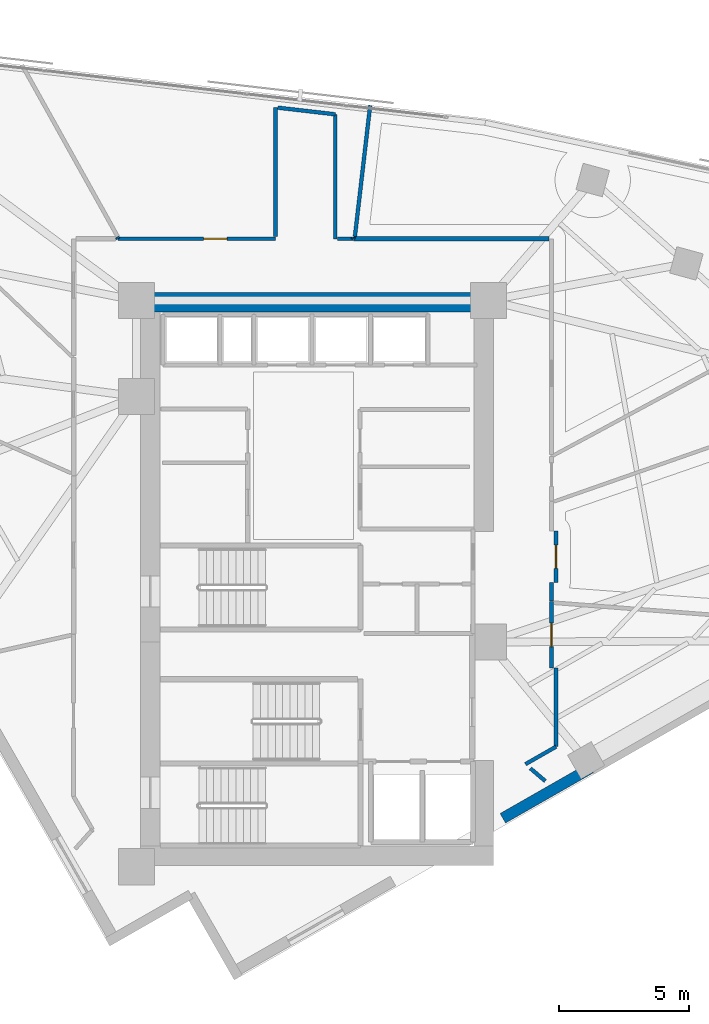
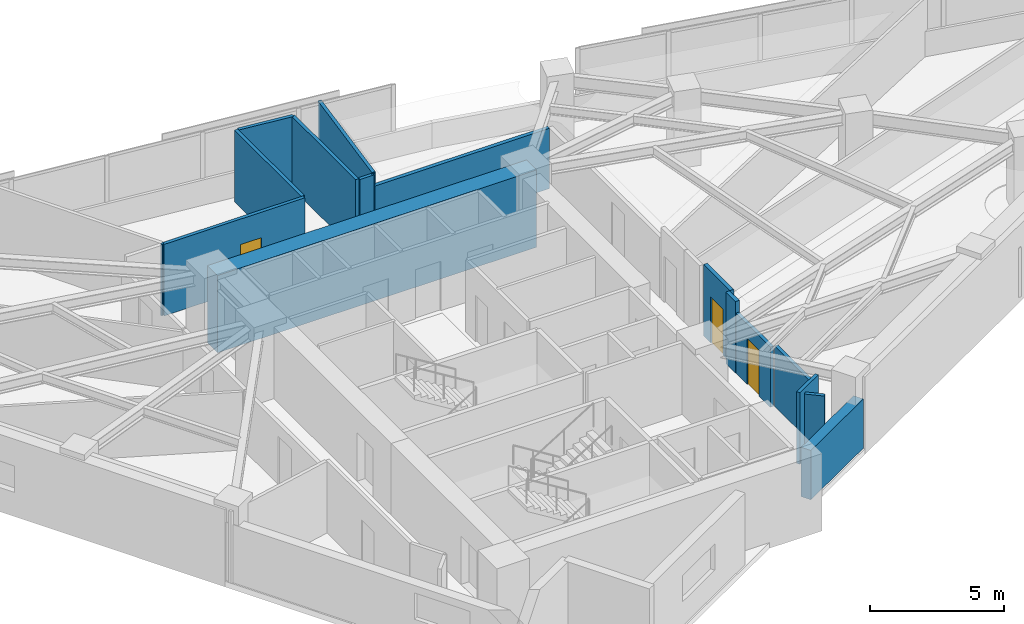
# One storey, part 11 of 14: 17 walls, 3 doors, 3 openings.
"""IFC4 building model written with IfcOpenShell, lengths in metres."""

from ifc_helpers import new_model, si_unit, direction, frame, frame_2d, origin, place, context, subcontext, project, spatial, rectangle, extrude, material, layer, layer_set, type_object, element, fill, save


model = new_model("IFC4")

# Units and contexts
model_context = context("Model", 3, precision=1e-05, world=origin(), true_north=direction((0.0, 1.0)))
body_context = subcontext(model_context, "Body", "Model", "MODEL_VIEW")
ifc_project = project(units=[si_unit("LENGTHUNIT", "METRE"), si_unit("AREAUNIT", "SQUARE_METRE"), si_unit("VOLUMEUNIT", "CUBIC_METRE"), si_unit("PLANEANGLEUNIT", "RADIAN"), si_unit("MASSUNIT", "GRAM", prefix="KILO")], contexts=[model_context])

# Site, building, storey
site_placement = place(None, origin())
site = spatial("IfcSite", under=ifc_project, at=site_placement, CompositionType="ELEMENT")
building_placement = place(site_placement, origin())
building = spatial("IfcBuilding", under=site, at=building_placement, Name="Narakoshi Arena Tower", CompositionType="ELEMENT")
storey_placement = place(building_placement, frame((0.0, 0.0, 218.5)))
storey = spatial("IfcBuildingStorey", under=building, at=storey_placement, Name="L59", CompositionType="ELEMENT", Elevation=218.5)

# Wall
ifc_material_1 = material(Name="Concrete C50/60", Category="concrete")
ifc_layer_1 = layer(ifc_material_1, 0.75)
ifc_layer_set_1 = layer_set([ifc_layer_1], Name="Concrete C50/60")
wall_type_1 = type_object("IfcWallType", Name="WL-CORE-750", PredefinedType="SHEAR", material=ifc_layer_set_1)
wall_1_placement = place(storey_placement, frame((72.0, 56.425048828125, -0.260009765625), z_axis=(0.0, 0.0, 1.0), x_axis=(1.0, 0.0, 0.0)))
element("IfcWall", 1, at=wall_1_placement, inside=storey, type_object=wall_type_1, Name="L59 Main Core Shear Wall CW-MN-N", PredefinedType="SHEAR", context=body_context, shape_type="SweptSolid", body=[
    extrude(rectangle(XDim=13.75, YDim=0.75, at=frame_2d((6.875, 0.0))), origin(), (0.0, 0.0, 1.0), 3.52001953125),
])

# Wall, opening, door
ifc_material_2 = material(Name="Gypsum plasterboard fire-rated partition")
ifc_layer_2 = layer(ifc_material_2, 0.1650390625)
ifc_layer_set_2 = layer_set([ifc_layer_2], Name="Gypsum plasterboard fire-rated partition")
wall_type_2 = type_object("IfcWallType", Name="WL-CORR-165", PredefinedType="PARTITIONING", material=ifc_layer_set_2)
wall_2_placement = place(storey_placement, frame((88.14990234375, 45.64990234375, 0.0), z_axis=(0.0, 0.0, 1.0), x_axis=(0.0, 1.0, 0.0)))
wall_2 = element("IfcWall", 2, at=wall_2_placement, inside=storey, type_object=wall_type_2, Name="L59 Corridor Partition 03-1", PredefinedType="PARTITIONING", context=body_context, shape_type="SweptSolid", body=[
    extrude(rectangle(XDim=1.97021484375, YDim=0.1650390625, at=frame_2d((0.985107421875, 0.0))), origin(), (0.0, 0.0, 1.0), 3.260009765625),
])
opening_1_placement = place(wall_2_placement, frame((0.534912109375, 0.0, 0.0)))
opening_1 = element("IfcOpeningElement", 3, at=opening_1_placement, cuts=wall_2, Name="Opening D-08", PredefinedType="OPENING", context=body_context, shape_type="SweptSolid", body=[
    extrude(rectangle(XDim=0.89990234375, YDim=2.10009765625, at=frame_2d((0.449951171875, 1.050048828125))), frame((0.0, 0.092529296875, 0.0), z_axis=(0.0, -1.0, 0.0), x_axis=(1.0, 0.0, 0.0)), (0.0, 0.0, 1.0), 0.18505859375),
])
ifc_material_3 = material(Name="Moisture-resistant laminate timber", Category="wood")
door_type = type_object("IfcDoorType", Name="DR-WC-900", OperationType="NOTDEFINED", PredefinedType="DOOR", material=ifc_material_3)
door_1_placement = place(opening_1_placement, frame((0.89990234375, 0.0, 0.0), z_axis=(0.0, 0.0, 1.0), x_axis=(-1.0, 0.0, 0.0)))
door_1 = element("IfcDoor", 4, at=door_1_placement, inside=storey, type_object=door_type, Name="DR-L59-019", OperationType="SINGLE_SWING_LEFT", OverallHeight=2.10009765625, OverallWidth=0.89990234375, PredefinedType="DOOR", context=body_context, shape_type="SweptSolid", body=[
    extrude(rectangle(XDim=0.89990234375, YDim=2.10009765625, at=frame_2d((0.449951171875, 1.050048828125))), frame((0.0, 0.02490234375, 0.0), z_axis=(0.0, -1.0, 0.0), x_axis=(1.0, 0.0, 0.0)), (0.0, 0.0, 1.0), 0.050048828125),
])
fill(opening_1, door_1)

# Walls
wall_3_placement = place(storey_placement, frame((87.97216796875, 44.930419921875, 0.0), z_axis=(0.0, 0.0, 1.0), x_axis=(0.0, 1.0, 0.0)))
element("IfcWall", 5, at=wall_3_placement, inside=storey, type_object=wall_type_2, Name="L59 Corridor Partition 03-3", PredefinedType="PARTITIONING", context=body_context, shape_type="SweptSolid", body=[
    extrude(rectangle(XDim=0.719482421875, YDim=0.1650390625, at=frame_2d((0.35986328125, 0.0))), origin(), (0.0, 0.0, 1.0), 3.260009765625),
])
wall_4_placement = place(storey_placement, frame((87.877685546875, 58.872314453125, 0.0), z_axis=(0.0, 0.0, 1.0), x_axis=(-1.0, 0.0, 0.0)))
element("IfcWall", 6, at=wall_4_placement, inside=storey, type_object=wall_type_2, Name="L59 Corridor Partition 05-2", PredefinedType="PARTITIONING", context=body_context, shape_type="SweptSolid", body=[
    extrude(rectangle(XDim=7.51806640625, YDim=0.1650390625, at=frame_2d((3.759033203125, 0.0))), origin(), (0.0, 0.0, 1.0), 2.7451171875),
])
ifc_material_4 = material(Name="Precast concrete C45/55", Category="concrete")
ifc_layer_3 = layer(ifc_material_4, 0.419921875)
ifc_layer_set_3 = layer_set([ifc_layer_3], Name="Precast concrete C45/55")
wall_type_3 = type_object("IfcWallType", Name="WL-POD-420", PredefinedType="SOLIDWALL", material=ifc_layer_set_3)
wall_5_placement = place(storey_placement, frame((86.10009765625, 36.567626953125, 0.0), z_axis=(0.0, 0.0, 1.0), x_axis=(0.868192956745, 0.496226752461, 0.0)))
element("IfcWall", 7, at=wall_5_placement, inside=storey, type_object=wall_type_3, Name="L59 Architectural Concrete Facade Wall LEGA-2", PredefinedType="SOLIDWALL", context=body_context, shape_type="SweptSolid", body=[
    extrude(rectangle(XDim=3.89208984375, YDim=0.419921875, at=frame_2d((1.946044921875, 0.0))), origin(), (0.0, 0.0, 1.0), 2.2451171875),
])
ifc_material_5 = material(Name="Moisture-resistant cement-board partition")
ifc_layer_4 = layer(ifc_material_5, 0.14501953125)
ifc_layer_set_4 = layer_set([ifc_layer_4], Name="Moisture-resistant cement-board partition")
wall_type_4 = type_object("IfcWallType", Name="WL-WET-145", PredefinedType="PARTITIONING", material=ifc_layer_set_4)
wall_6_placement = place(storey_placement, frame((88.14990234375, 39.322998046875, 0.0), z_axis=(0.0, 0.0, 1.0), x_axis=(0.0, 1.0, 0.0)))
element("IfcWall", 8, at=wall_6_placement, inside=storey, type_object=wall_type_4, Name="L59 Corridor Partition 02-1", PredefinedType="PARTITIONING", context=body_context, shape_type="SweptSolid", body=[
    extrude(rectangle(XDim=3.027099609375, YDim=0.14501953125, at=frame_2d((1.513671875, 0.0))), origin(), (0.0, 0.0, 1.0), 2.7451171875),
])

# Wall, opening, door
wall_7_placement = place(storey_placement, frame((87.97216796875, 42.35009765625, 0.0), z_axis=(0.0, 0.0, 1.0), x_axis=(0.0, 1.0, 0.0)))
wall_7 = element("IfcWall", 9, at=wall_7_placement, inside=storey, type_object=wall_type_4, Name="L59 Corridor Partition 02-2", PredefinedType="PARTITIONING", context=body_context, shape_type="SweptSolid", body=[
    extrude(rectangle(XDim=2.556396484375, YDim=0.14501953125, at=frame_2d((1.2783203125, 0.0))), origin(), (0.0, 0.0, 1.0), 2.7451171875),
])
opening_2_placement = place(wall_7_placement, frame((0.828125, 0.0, 0.0)))
opening_2 = element("IfcOpeningElement", 10, at=opening_2_placement, cuts=wall_7, Name="Opening D-08", PredefinedType="OPENING", context=body_context, shape_type="SweptSolid", body=[
    extrude(rectangle(XDim=0.89990234375, YDim=2.10009765625, at=frame_2d((0.449951171875, 1.050048828125))), frame((0.0, 0.08251953125, 0.0), z_axis=(0.0, -1.0, 0.0), x_axis=(1.0, 0.0, 0.0)), (0.0, 0.0, 1.0), 0.1650390625),
])
door_2_placement = place(opening_2_placement, frame((0.89990234375, 0.0, 0.0), z_axis=(0.0, 0.0, 1.0), x_axis=(-1.0, 0.0, 0.0)))
door_2 = element("IfcDoor", 11, at=door_2_placement, inside=storey, type_object=door_type, Name="DR-L59-018", OperationType="SINGLE_SWING_LEFT", OverallHeight=2.10009765625, OverallWidth=0.89990234375, PredefinedType="DOOR", context=body_context, shape_type="SweptSolid", body=[
    extrude(rectangle(XDim=0.89990234375, YDim=2.10009765625, at=frame_2d((0.449951171875, 1.050048828125))), frame((0.0, 0.02490234375, 0.0), z_axis=(0.0, -1.0, 0.0), x_axis=(1.0, 0.0, 0.0)), (0.0, 0.0, 1.0), 0.050048828125),
])
fill(opening_2, door_2)

# Walls
wall_8_placement = place(storey_placement, frame((86.97119140625, 38.6494140625, 0.0), z_axis=(0.0, 0.0, 1.0), x_axis=(0.868232075283, 0.496158304827, 0.0)))
element("IfcWall", 12, at=wall_8_placement, inside=storey, type_object=wall_type_4, Name="L59 Corridor Partition 02-3", PredefinedType="PARTITIONING", context=body_context, shape_type="SweptSolid", body=[
    extrude(rectangle(XDim=1.357666015625, YDim=0.14501953125, at=frame_2d((0.6787109375, 0.0))), origin(), (0.0, 0.0, 1.0), 3.260009765625),
])
wall_9_placement = place(storey_placement, frame((80.40673828125, 58.966796875, 0.0), z_axis=(0.0, 0.0, 1.0), x_axis=(0.115784282811, 0.993274382965, 0.0)))
element("IfcWall", 13, at=wall_9_placement, inside=storey, type_object=wall_type_4, Name="L59 Inter-Room Partition 05-06", PredefinedType="PARTITIONING", context=body_context, shape_type="SweptSolid", body=[
    extrude(rectangle(XDim=5.07958984375, YDim=0.14501953125, at=frame_2d((2.539794921875, 0.0))), origin(), (0.0, 0.0, 1.0), 3.260009765625),
])

# Wall, opening, door
wall_10_placement = place(storey_placement, frame((77.35009765625, 58.872314453125, 0.0), z_axis=(0.0, 0.0, 1.0), x_axis=(-1.0, 0.0, 0.0)))
wall_10 = element("IfcWall", 14, at=wall_10_placement, inside=storey, type_object=wall_type_4, Name="L59 Corridor Partition 06-1", PredefinedType="PARTITIONING", context=body_context, shape_type="SweptSolid", body=[
    extrude(rectangle(XDim=6.060791015625, YDim=0.14501953125, at=frame_2d((3.0302734375, 0.0))), origin(), (0.0, 0.0, 1.0), 3.260009765625),
])
opening_3_placement = place(wall_10_placement, frame((1.8662109375, 0.0, 0.0)))
opening_3 = element("IfcOpeningElement", 15, at=opening_3_placement, cuts=wall_10, Name="Opening D-08", PredefinedType="OPENING", context=body_context, shape_type="SweptSolid", body=[
    extrude(rectangle(XDim=0.89990234375, YDim=2.10009765625, at=frame_2d((0.449951171875, 1.050048828125))), frame((0.0, 0.08251953125, 0.0), z_axis=(0.0, -1.0, 0.0), x_axis=(1.0, 0.0, 0.0)), (0.0, 0.0, 1.0), 0.1650390625),
])
door_3_placement = place(opening_3_placement, frame((0.89990234375, 0.0, 0.0), z_axis=(0.0, 0.0, 1.0), x_axis=(-1.0, 0.0, 0.0)))
door_3 = element("IfcDoor", 16, at=door_3_placement, inside=storey, type_object=door_type, Name="DR-L59-022", OperationType="SINGLE_SWING_LEFT", OverallHeight=2.10009765625, OverallWidth=0.89990234375, PredefinedType="DOOR", context=body_context, shape_type="SweptSolid", body=[
    extrude(rectangle(XDim=0.89990234375, YDim=2.10009765625, at=frame_2d((0.449951171875, 1.050048828125))), frame((0.0, 0.02490234375, 0.0), z_axis=(0.0, -1.0, 0.0), x_axis=(1.0, 0.0, 0.0)), (0.0, 0.0, 1.0), 0.050048828125),
])
fill(opening_3, door_3)

# Walls
wall_11_placement = place(storey_placement, frame((77.35009765625, 63.930908203125, 0.0), z_axis=(0.0, 0.0, 1.0), x_axis=(0.0, -1.0, 0.0)))
element("IfcWall", 17, at=wall_11_placement, inside=storey, type_object=wall_type_4, Name="L59 Corridor Partition 06-2", PredefinedType="PARTITIONING", context=body_context, shape_type="SweptSolid", body=[
    extrude(rectangle(XDim=4.97412109375, YDim=0.14501953125, at=frame_2d((2.487060546875, 0.0))), origin(), (0.0, 0.0, 1.0), 3.260009765625),
])
wall_12_placement = place(storey_placement, frame((79.64990234375, 58.872314453125, 0.0), z_axis=(0.0, 0.0, 1.0), x_axis=(0.0, 1.0, 0.0)))
element("IfcWall", 18, at=wall_12_placement, inside=storey, type_object=wall_type_4, Name="L59 Corridor Partition 06-3", PredefinedType="PARTITIONING", context=body_context, shape_type="SweptSolid", body=[
    extrude(rectangle(XDim=4.792236328125, YDim=0.14501953125, at=frame_2d((2.39599609375, 0.0))), origin(), (0.0, 0.0, 1.0), 3.260009765625),
])
wall_13_placement = place(storey_placement, frame((79.64990234375, 63.66455078125, 0.0), z_axis=(0.0, 0.0, 1.0), x_axis=(-0.993371485876, 0.11494821029, 0.0)))
element("IfcWall", 19, at=wall_13_placement, inside=storey, type_object=wall_type_4, Name="L59 Corridor Partition 06-4", PredefinedType="PARTITIONING", context=body_context, shape_type="SweptSolid", body=[
    extrude(rectangle(XDim=2.230224609375, YDim=0.14501953125, at=frame_2d((1.115234375, 0.0))), origin(), (0.0, 0.0, 1.0), 3.260009765625),
])
wall_14_placement = place(storey_placement, frame((80.335205078125, 58.872314453125, 0.0), z_axis=(0.0, 0.0, 1.0), x_axis=(-1.0, 0.0, 0.0)))
element("IfcWall", 20, at=wall_14_placement, inside=storey, type_object=wall_type_4, Name="L59 Corridor Partition 06-5", PredefinedType="PARTITIONING", context=body_context, shape_type="SweptSolid", body=[
    extrude(rectangle(XDim=0.6005859375, YDim=0.14501953125, at=frame_2d((0.30029296875, 0.0))), origin(), (0.0, 0.0, 1.0), 3.260009765625),
])
wall_15_placement = place(storey_placement, frame((71.289306640625, 58.872314453125, 0.0), z_axis=(0.0, 0.0, 1.0), x_axis=(-0.493460371412, 0.869768280547, 0.0)))
element("IfcWall", 21, at=wall_15_placement, inside=storey, type_object=wall_type_4, Name="L59 Corridor Partition 06-6", PredefinedType="PARTITIONING", context=body_context, shape_type="SweptSolid", body=[
    extrude(rectangle(XDim=0.06884765625, YDim=0.14501953125, at=frame_2d((0.034423828125, 0.0))), origin(), (0.0, 0.0, 1.0), 3.260009765625),
])
wall_16_placement = place(storey_placement, frame((80.34228515625, 58.93212890625, 0.0), z_axis=(0.0, 0.0, 1.0), x_axis=(-0.117546747581, -0.99306735025, 0.0)))
element("IfcWall", 22, at=wall_16_placement, inside=storey, type_object=wall_type_4, Name="L59 Corridor Partition 06-7", PredefinedType="PARTITIONING", context=body_context, shape_type="SweptSolid", body=[
    extrude(rectangle(XDim=0.060302734375, YDim=0.14501953125, at=frame_2d((0.0302734375, 0.0))), origin(), (0.0, 0.0, 1.0), 3.260009765625),
])
wall_17_placement = place(storey_placement, frame((87.7353515625, 37.997802734375, 0.0), z_axis=(0.0, 0.0, 1.0), x_axis=(-0.760983773589, 0.64877091206, 0.0)))
element("IfcWall", 23, at=wall_17_placement, inside=storey, type_object=wall_type_4, Name="L59 Room Enclosure Partition 02-1", PredefinedType="PARTITIONING", context=body_context, shape_type="SweptSolid", body=[
    extrude(rectangle(XDim=0.757080078125, YDim=0.14501953125, at=frame_2d((0.37841796875, 0.0))), origin(), (0.0, 0.0, 1.0), 3.260009765625),
])

save(model, "model.ifc")
